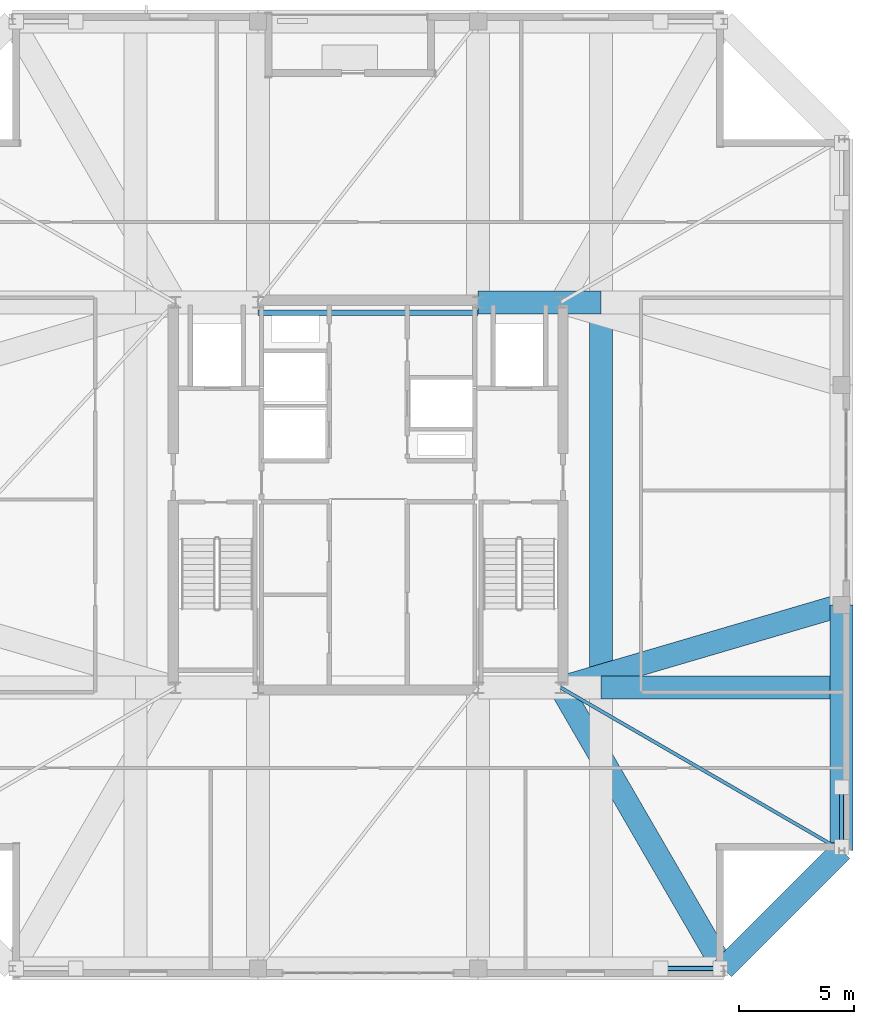
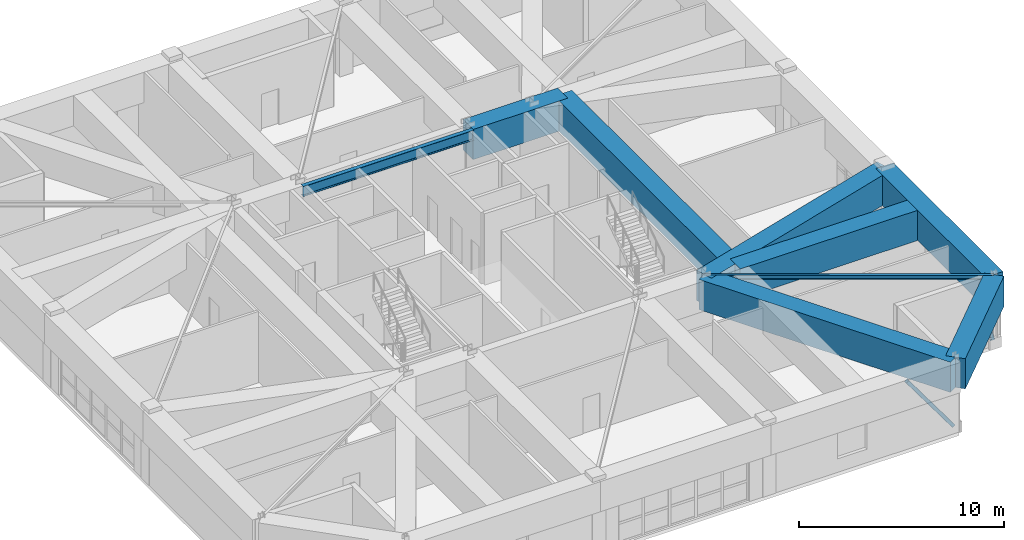
# One storey, part 9 of 17: 9 beams, 2 members.
"""IFC4 building model written with IfcOpenShell, lengths in metres."""

from ifc_helpers import new_model, si_unit, direction, frame, origin, origin_2d, place, context, subcontext, project, spatial, rectangle, hollow_rectangle, i_section, extrude, material, material_profile, profile_set, type_object, element, save


model = new_model("IFC4")

# Units and contexts
model_context = context("Model", 3, precision=1e-05, world=origin(), true_north=direction((0.0, 1.0)))
body_context = subcontext(model_context, "Body", "Model", "MODEL_VIEW")
ifc_project = project(units=[si_unit("LENGTHUNIT", "METRE"), si_unit("AREAUNIT", "SQUARE_METRE"), si_unit("VOLUMEUNIT", "CUBIC_METRE"), si_unit("PLANEANGLEUNIT", "RADIAN"), si_unit("MASSUNIT", "GRAM", prefix="KILO")], contexts=[model_context])

# Site, building, storey
site_placement = place(None, origin())
site = spatial("IfcSite", under=ifc_project, at=site_placement, CompositionType="ELEMENT")
building_placement = place(site_placement, origin())
building = spatial("IfcBuilding", under=site, at=building_placement, Name="Cairnveth Concourse Tower", CompositionType="ELEMENT")
storey_placement = place(building_placement, frame((0.0, 0.0, 320.0)))
storey = spatial("IfcBuildingStorey", under=building, at=storey_placement, Name="L88", CompositionType="ELEMENT", Elevation=320.0)

# Beams
ifc_material_1 = material(Name="Concrete N65 (65 MPa)", Category="concrete")
ifc_material_profile_1 = material_profile(ifc_material_1, rectangle(XDim=1.0, YDim=1.800048828125, at=origin_2d()), Name="RC-TB-1000x1800")
ifc_profile_set_1 = profile_set([ifc_material_profile_1], Name="Concrete N65 (65 MPa)")
beam_type_1 = type_object("IfcBeamType", Name="CONCRETE TRANSFER GIRDER 1000X1800", PredefinedType="BEAM", material=ifc_profile_set_1)
beam_1_placement = place(storey_placement, frame((72.64990234375, 23.5, 3.35009765625), z_axis=(0.0, 1.0, 0.0), x_axis=(-1.0, 0.0, 0.0)))
element("IfcBeam", 1, at=beam_1_placement, inside=storey, type_object=beam_type_1, Name="Beam SP-E1 L88", PredefinedType="BEAM", context=body_context, shape_type="SweptSolid", body=[
    extrude(rectangle(XDim=1.0, YDim=1.800048828125, at=origin_2d()), origin(), (0.0, 0.0, 1.0), 10.699951171875),
])
beam_2_placement = place(storey_placement, frame((67.5, 18.35009765625, 3.35009765625), z_axis=(0.707106781187, 0.707106781187, 0.0), x_axis=(-0.707106781187, 0.707106781187, 0.0)))
element("IfcBeam", 2, at=beam_2_placement, inside=storey, type_object=beam_type_1, Name="Beam SP-SE L88", PredefinedType="BEAM", context=body_context, shape_type="SweptSolid", body=[
    extrude(rectangle(XDim=1.0, YDim=1.800048828125, at=origin_2d()), origin(), (0.0, 0.0, 1.0), 7.282958984375),
])
beam_3_placement = place(storey_placement, frame((60.39990234375, 30.60009765625, 3.35009765625), z_axis=(0.959430938842, 0.281943741893, 0.0), x_axis=(-0.281943741893, 0.959430938842, 0.0)))
element("IfcBeam", 3, at=beam_3_placement, inside=storey, type_object=beam_type_1, Name="Beam RG-E1 L88", PredefinedType="BEAM", context=body_context, shape_type="SweptSolid", body=[
    extrude(rectangle(XDim=1.0, YDim=1.800048828125, at=origin_2d()), origin(), (0.0, 0.0, 1.0), 12.76806640625),
])
beam_4_placement = place(storey_placement, frame((67.5, 18.35009765625, 3.35009765625), z_axis=(-0.501458984584, 0.86518141842, 0.0), x_axis=(-0.86518141842, -0.501458984584, 0.0)))
element("IfcBeam", 4, at=beam_4_placement, inside=storey, type_object=beam_type_1, Name="Beam RG-CSE L88", PredefinedType="BEAM", context=body_context, shape_type="SweptSolid", body=[
    extrude(rectangle(XDim=1.0, YDim=1.800048828125, at=origin_2d()), origin(), (0.0, 0.0, 1.0), 14.158935546875),
])
beam_5_placement = place(storey_placement, frame((62.14990234375, 30.60009765625, 3.35009765625), z_axis=(1.0, 0.0, 0.0), x_axis=(0.0, 1.0, 0.0)))
element("IfcBeam", 5, at=beam_5_placement, inside=storey, type_object=beam_type_1, Name="Beam CTG-EM1B L88", PredefinedType="BEAM", context=body_context, shape_type="SweptSolid", body=[
    extrude(rectangle(XDim=1.0, YDim=1.800048828125, at=origin_2d()), origin(), (0.0, 0.0, 1.0), 10.5),
])
beam_6_placement = place(storey_placement, frame((56.800048828125, 47.39990234375, 3.35009765625), z_axis=(1.0, 0.0, 0.0), x_axis=(0.0, 1.0, 0.0)))
element("IfcBeam", 6, at=beam_6_placement, inside=storey, type_object=beam_type_1, Name="Beam CTG-EM2A L88", PredefinedType="BEAM", context=body_context, shape_type="SweptSolid", body=[
    extrude(rectangle(XDim=1.0, YDim=1.800048828125, at=origin_2d()), origin(), (0.0, 0.0, 1.0), 5.349853515625),
])
beam_7_placement = place(storey_placement, frame((62.14990234375, 30.60009765625, 3.35009765625), z_axis=(0.0, 1.0, 0.0), x_axis=(-1.0, 0.0, 0.0)))
element("IfcBeam", 7, at=beam_7_placement, inside=storey, type_object=beam_type_1, Name="Beam CTG-E-NS2 L88", PredefinedType="BEAM", context=body_context, shape_type="SweptSolid", body=[
    extrude(rectangle(XDim=1.0, YDim=1.800048828125, at=origin_2d()), origin(), (0.0, 0.0, 1.0), 16.7998046875),
])
ifc_material_2 = material(Name="Steel Grade 350", Category="steel")
ifc_material_profile_2 = material_profile(ifc_material_2, i_section(OverallWidth=0.22802734375, OverallDepth=0.60693359375, WebThickness=0.01123046875, FlangeThickness=0.017333984375, FilletRadius=0.013916015625, at=origin_2d()), Name="610UB113")
ifc_profile_set_2 = profile_set([ifc_material_profile_2], Name="Steel Grade 350")
beam_type_2 = type_object("IfcBeamType", Name="CORE TIE BEAM 610UB113", PredefinedType="T_BEAM", material=ifc_profile_set_2)
beam_8_placement = place(storey_placement, frame((47.199951171875, 46.949951171875, 3.946533203125), z_axis=(1.0, 0.0, 0.0), x_axis=(0.0, 1.0, 0.0)))
element("IfcBeam", 8, at=beam_8_placement, inside=storey, type_object=beam_type_2, Name="Beam CT-N2 L88", PredefinedType="T_BEAM", context=body_context, shape_type="SweptSolid", body=[
    extrude(i_section(OverallWidth=0.22802734375, OverallDepth=0.60693359375, WebThickness=0.01123046875, FlangeThickness=0.017333984375, FilletRadius=0.013916015625, at=origin_2d()), origin(), (0.0, 0.0, 1.0), 9.60009765625),
])
ifc_material_profile_3 = material_profile(ifc_material_2, i_section(OverallWidth=0.14599609375, OverallDepth=0.256103515625, WebThickness=0.00634765625, FlangeThickness=0.010986328125, FilletRadius=0.009033203125, at=origin_2d()), Name="250UB37.3")
ifc_profile_set_3 = profile_set([ifc_material_profile_3], Name="Steel Grade 350")
beam_type_3 = type_object("IfcBeamType", Name="ZONE 4 FLOOR JOIST 250UB37.3", PredefinedType="JOIST", material=ifc_profile_set_3)
beam_9_placement = place(storey_placement, frame((72.64990234375, 23.5, 4.1220703125), z_axis=(-0.86518141842, 0.501458984584, 0.0), x_axis=(-0.501458984584, -0.86518141842, 0.0)))
element("IfcBeam", 9, at=beam_9_placement, inside=storey, type_object=beam_type_3, Name="Beam FJ-CSE2 L88", PredefinedType="JOIST", context=body_context, shape_type="SweptSolid", body=[
    extrude(i_section(OverallWidth=0.14599609375, OverallDepth=0.256103515625, WebThickness=0.00634765625, FlangeThickness=0.010986328125, FilletRadius=0.009033203125, at=origin_2d()), origin(), (0.0, 0.0, 1.0), 14.158935546875),
])

# Members
ifc_material_3 = material(Name="Steel C350L0 (350 MPa)", Category="steel")
ifc_material_profile_4 = material_profile(ifc_material_3, hollow_rectangle(XDim=0.199951171875, YDim=0.199951171875, WallThickness=0.012451171875, InnerFilletRadius=0.012939453125, OuterFilletRadius=0.02490234375, at=origin_2d()), Name="200x200x12.5SHS")
ifc_profile_set_4 = profile_set([ifc_material_profile_4], Name="Steel C350L0 (350 MPa)")
member_type = type_object("IfcMemberType", Name="ZONE 4 PIER BRACE 200X200X12.5SHS", PredefinedType="BRACE", material=ifc_profile_set_4)
for number, where, z_axis, x_axis, name in (
    (10, (67.35009765625, 18.35009765625, 0.25), (-0.590880096879, 0.0, 0.806759388611), (0.0, -1.0, 0.0), "Structural Brace PB-S2 L88"),
    (11, (72.64990234375, 23.64990234375, 0.25), (0.0, 0.590880096879, 0.806759388611), (-1.0, 0.0, 0.0), "Structural Brace PB-E1 L88"),
):
    element("IfcMember", number, at=place(storey_placement, frame(where, z_axis=z_axis, x_axis=x_axis)), inside=storey, type_object=member_type, Name=name, PredefinedType="BRACE", context=body_context, shape_type="SweptSolid", body=[
        extrude(hollow_rectangle(XDim=0.199951171875, YDim=0.199951171875, WallThickness=0.012451171875, InnerFilletRadius=0.012939453125, OuterFilletRadius=0.02490234375, at=origin_2d()), origin(), (0.0, 0.0, 1.0), 4.400390625),
    ])

save(model, "model.ifc")
